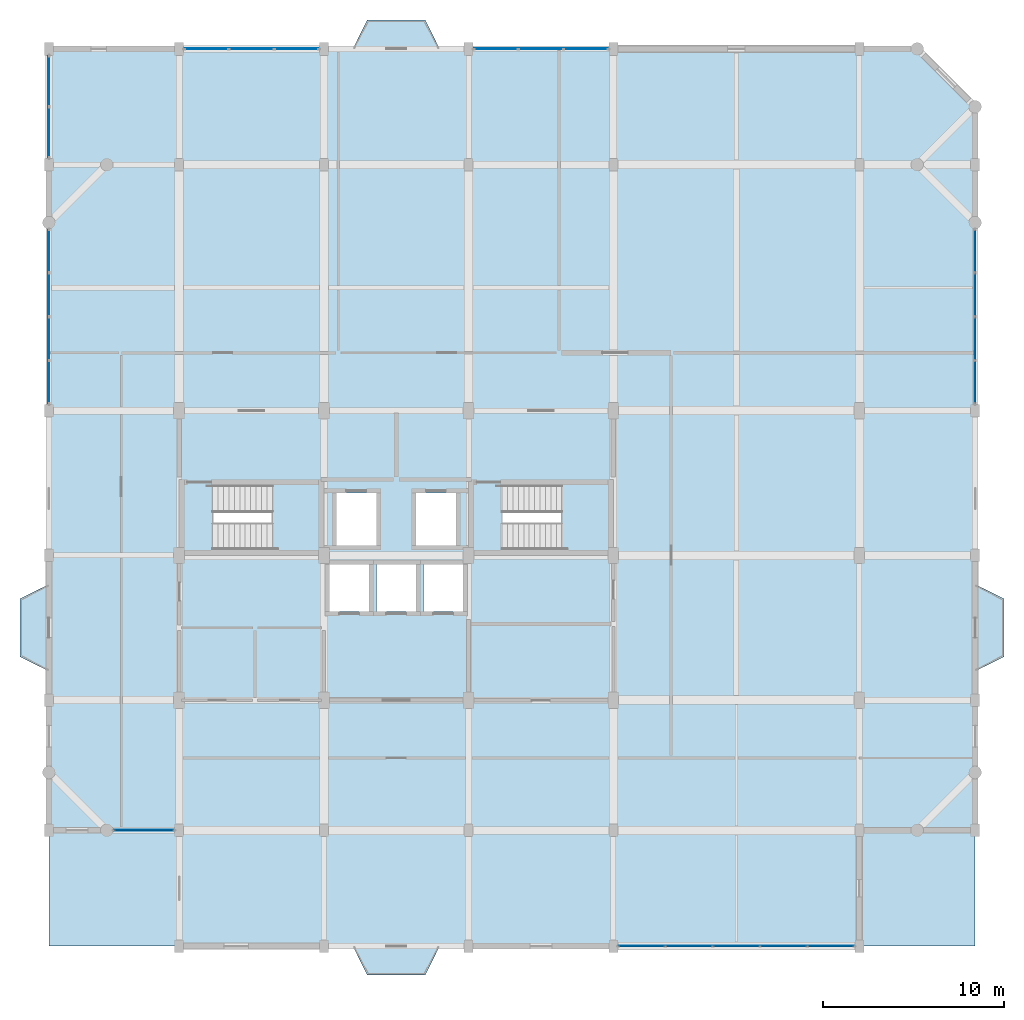
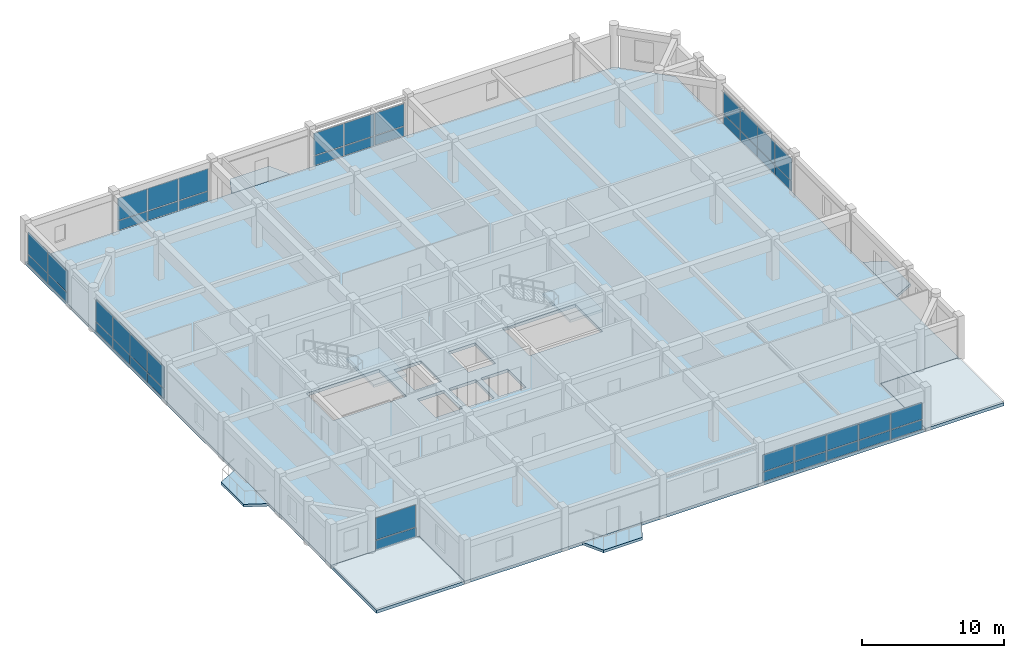
# One storey, part 9 of 14: 44 plates, 9 slabs, 9 elements without a shape of their own.
"""IFC4 building model written with IfcOpenShell, lengths in metres."""

from ifc_helpers import new_model, si_unit, direction, frame, origin, origin_2d, place, context, subcontext, project, spatial, polyline, rectangle, outline, extrude, material, layer, layer_set, type_object, element, aggregate, save


model = new_model("IFC4")

# Units and contexts
model_context = context("Model", 3, precision=1e-05, world=origin(), true_north=direction((0.0, 1.0)))
body_context = subcontext(model_context, "Body", "Model", "MODEL_VIEW")
ifc_project = project(units=[si_unit("LENGTHUNIT", "METRE"), si_unit("AREAUNIT", "SQUARE_METRE"), si_unit("VOLUMEUNIT", "CUBIC_METRE"), si_unit("PLANEANGLEUNIT", "RADIAN"), si_unit("MASSUNIT", "GRAM", prefix="KILO")], contexts=[model_context])

# Site, building, storey
site_placement = place(None, origin())
site = spatial("IfcSite", under=ifc_project, at=site_placement, CompositionType="ELEMENT")
building_placement = place(site_placement, origin())
building = spatial("IfcBuilding", under=site, at=building_placement, Name="Vellmiral Cinema and Media Centre", CompositionType="ELEMENT")
storey_placement = place(building_placement, frame((0.0, 0.0, 47.10009765625)))
storey = spatial("IfcBuildingStorey", under=building, at=storey_placement, Name="L11", CompositionType="ELEMENT", Elevation=47.10009765625)

# Curtain wall, plates
ifc_material_1 = material(Name="Thermally Broken Aluminium and Triple Glazing", Category="aluminium")
curtain_wall_type_1 = type_object("IfcCurtainWallType", Name="CW-TOWER-MID-W", PredefinedType="USERDEFINED", material=ifc_material_1)
curtain_wall_1_placement = place(storey_placement, origin())
curtain_wall_1 = element("IfcCurtainWall", 1, at=curtain_wall_1_placement, inside=storey, type_object=curtain_wall_type_1, Name="Curtain Wall L11-B018", ObjectType="UNITISED CURTAIN WALL", PredefinedType="USERDEFINED")
ifc_material_2 = material(Name="Laminated Studio Acoustic Glazing", Category="glass")
ifc_layer_1 = layer(ifc_material_2, 0.0439453125, Name="Laminated Studio Acoustic Glazing")
ifc_layer_set_1 = layer_set([ifc_layer_1], Name="Laminated Studio Acoustic Glazing")
plate_type_1 = type_object("IfcPlateType", Name="CWP-ACOUST-44", PredefinedType="CURTAIN_PANEL", material=ifc_layer_set_1)
plate_1_placement = place(storey_placement, frame((146.483642578125, 115.199951171875, 0.93212890625), z_axis=(0.0, 0.0, 1.0), x_axis=(-1.0, 0.0, 0.0)))
plate_1 = element("IfcPlate", 2, at=plate_1_placement, type_object=plate_type_1, Name="CW-08 panel 1.2", PredefinedType="CURTAIN_PANEL", context=body_context, shape_type="SweptSolid", body=[
    extrude(rectangle(XDim=2.402587890625, YDim=0.0439453125, at=origin_2d()), origin(), (0.0, 0.0, 1.0), 1.902587890625),
])
plate_2_placement = place(storey_placement, frame((144.0, 115.199951171875, 0.93212890625), z_axis=(0.0, 0.0, 1.0), x_axis=(-1.0, 0.0, 0.0)))
plate_2 = element("IfcPlate", 3, at=plate_2_placement, type_object=plate_type_1, Name="CW-08 panel 2.2", PredefinedType="CURTAIN_PANEL", context=body_context, shape_type="SweptSolid", body=[
    extrude(rectangle(XDim=2.43505859375, YDim=0.0439453125, at=origin_2d()), origin(), (0.0, 0.0, 1.0), 1.902587890625),
])
plate_3_placement = place(storey_placement, frame((141.516357421875, 115.199951171875, 0.93212890625), z_axis=(0.0, 0.0, 1.0), x_axis=(-1.0, 0.0, 0.0)))
plate_3 = element("IfcPlate", 4, at=plate_3_placement, type_object=plate_type_1, Name="CW-08 panel 3.2", PredefinedType="CURTAIN_PANEL", context=body_context, shape_type="SweptSolid", body=[
    extrude(rectangle(XDim=2.402587890625, YDim=0.0439453125, at=origin_2d()), origin(), (0.0, 0.0, 1.0), 1.902587890625),
])

curtain_wall_2_placement = place(storey_placement, origin())
curtain_wall_2 = element("IfcCurtainWall", 5, at=curtain_wall_2_placement, inside=storey, type_object=curtain_wall_type_1, Name="Curtain Wall L11-B020", ObjectType="UNITISED CURTAIN WALL", PredefinedType="USERDEFINED")
plate_4_placement = place(storey_placement, frame((130.483642578125, 115.199951171875, 0.93212890625), z_axis=(0.0, 0.0, 1.0), x_axis=(-1.0, 0.0, 0.0)))
plate_4 = element("IfcPlate", 6, at=plate_4_placement, type_object=plate_type_1, Name="CW-08 panel 1.2", PredefinedType="CURTAIN_PANEL", context=body_context, shape_type="SweptSolid", body=[
    extrude(rectangle(XDim=2.402587890625, YDim=0.0439453125, at=origin_2d()), origin(), (0.0, 0.0, 1.0), 1.902587890625),
])
plate_5_placement = place(storey_placement, frame((128.0, 115.199951171875, 0.93212890625), z_axis=(0.0, 0.0, 1.0), x_axis=(-1.0, 0.0, 0.0)))
plate_5 = element("IfcPlate", 7, at=plate_5_placement, type_object=plate_type_1, Name="CW-08 panel 2.2", PredefinedType="CURTAIN_PANEL", context=body_context, shape_type="SweptSolid", body=[
    extrude(rectangle(XDim=2.43505859375, YDim=0.0439453125, at=origin_2d()), origin(), (0.0, 0.0, 1.0), 1.902587890625),
])
plate_6_placement = place(storey_placement, frame((125.516357421875, 115.199951171875, 0.93212890625), z_axis=(0.0, 0.0, 1.0), x_axis=(-1.0, 0.0, 0.0)))
plate_6 = element("IfcPlate", 8, at=plate_6_placement, type_object=plate_type_1, Name="CW-08 panel 3.2", PredefinedType="CURTAIN_PANEL", context=body_context, shape_type="SweptSolid", body=[
    extrude(rectangle(XDim=2.402587890625, YDim=0.0439453125, at=origin_2d()), origin(), (0.0, 0.0, 1.0), 1.902587890625),
])

curtain_wall_3_placement = place(storey_placement, origin())
curtain_wall_3 = element("IfcCurtainWall", 9, at=curtain_wall_3_placement, inside=storey, type_object=curtain_wall_type_1, Name="Curtain Wall L11-B022", ObjectType="UNITISED CURTAIN WALL", PredefinedType="USERDEFINED")
plate_7_placement = place(storey_placement, frame((116.800048828125, 113.40869140625, 0.9326171875), z_axis=(0.0, 0.0, 1.0), x_axis=(0.0, -1.0, 0.0)))
plate_7 = element("IfcPlate", 10, at=plate_7_placement, type_object=plate_type_1, Name="CW-08 panel 1.2", PredefinedType="CURTAIN_PANEL", context=body_context, shape_type="SweptSolid", body=[
    extrude(rectangle(XDim=2.75244140625, YDim=0.0439453125, at=origin_2d()), origin(), (0.0, 0.0, 1.0), 1.887451171875),
])
plate_8_placement = place(storey_placement, frame((116.800048828125, 110.59130859375, 0.9326171875), z_axis=(0.0, 0.0, 1.0), x_axis=(0.0, -1.0, 0.0)))
plate_8 = element("IfcPlate", 11, at=plate_8_placement, type_object=plate_type_1, Name="CW-08 panel 2.2", PredefinedType="CURTAIN_PANEL", context=body_context, shape_type="SweptSolid", body=[
    extrude(rectangle(XDim=2.75244140625, YDim=0.0439453125, at=origin_2d()), origin(), (0.0, 0.0, 1.0), 1.887451171875),
])

curtain_wall_4_placement = place(storey_placement, origin())
curtain_wall_4 = element("IfcCurtainWall", 12, at=curtain_wall_4_placement, inside=storey, type_object=curtain_wall_type_1, Name="Curtain Wall L11-B024", ObjectType="UNITISED CURTAIN WALL", PredefinedType="USERDEFINED")
plate_9_placement = place(storey_placement, frame((116.800048828125, 104.021240234375, 0.9326171875), z_axis=(0.0, 0.0, 1.0), x_axis=(0.0, -1.0, 0.0)))
plate_9 = element("IfcPlate", 13, at=plate_9_placement, type_object=plate_type_1, Name="CW-08 panel 1.2", PredefinedType="CURTAIN_PANEL", context=body_context, shape_type="SweptSolid", body=[
    extrude(rectangle(XDim=2.327392578125, YDim=0.0439453125, at=origin_2d()), origin(), (0.0, 0.0, 1.0), 1.887451171875),
])
plate_10_placement = place(storey_placement, frame((116.800048828125, 101.612548828125, 0.9326171875), z_axis=(0.0, 0.0, 1.0), x_axis=(0.0, -1.0, 0.0)))
plate_10 = element("IfcPlate", 14, at=plate_10_placement, type_object=plate_type_1, Name="CW-08 panel 2.2", PredefinedType="CURTAIN_PANEL", context=body_context, shape_type="SweptSolid", body=[
    extrude(rectangle(XDim=2.360107421875, YDim=0.0439453125, at=origin_2d()), origin(), (0.0, 0.0, 1.0), 1.887451171875),
])
plate_11_placement = place(storey_placement, frame((116.800048828125, 99.1875, 0.9326171875), z_axis=(0.0, 0.0, 1.0), x_axis=(0.0, -1.0, 0.0)))
plate_11 = element("IfcPlate", 15, at=plate_11_placement, type_object=plate_type_1, Name="CW-08 panel 3.2", PredefinedType="CURTAIN_PANEL", context=body_context, shape_type="SweptSolid", body=[
    extrude(rectangle(XDim=2.360107421875, YDim=0.0439453125, at=origin_2d()), origin(), (0.0, 0.0, 1.0), 1.887451171875),
])
plate_12_placement = place(storey_placement, frame((116.800048828125, 96.77880859375, 0.9326171875), z_axis=(0.0, 0.0, 1.0), x_axis=(0.0, -1.0, 0.0)))
plate_12 = element("IfcPlate", 16, at=plate_12_placement, type_object=plate_type_1, Name="CW-08 panel 4.2", PredefinedType="CURTAIN_PANEL", context=body_context, shape_type="SweptSolid", body=[
    extrude(rectangle(XDim=2.327392578125, YDim=0.0439453125, at=origin_2d()), origin(), (0.0, 0.0, 1.0), 1.887451171875),
])

ifc_material_3 = material(Name="Thermally Broken Aluminium and Triple Glazing", Category="aluminium")
curtain_wall_type_2 = type_object("IfcCurtainWallType", Name="CW-TOWER-MID-E", PredefinedType="USERDEFINED", material=ifc_material_3)
curtain_wall_5_placement = place(storey_placement, origin())
curtain_wall_5 = element("IfcCurtainWall", 17, at=curtain_wall_5_placement, inside=storey, type_object=curtain_wall_type_2, Name="Curtain Wall L11-B004", ObjectType="UNITISED CURTAIN WALL", PredefinedType="USERDEFINED")
ifc_material_4 = material(Name="Honed Vosges Sandstone Spandrel Panel", Category="masonry")
ifc_layer_2 = layer(ifc_material_4, 0.06005859375, Name="Honed Vosges Sandstone Spandrel Panel")
ifc_layer_set_2 = layer_set([ifc_layer_2], Name="Honed Vosges Sandstone Spandrel Panel")
plate_type_2 = type_object("IfcPlateType", Name="CWP-SAND-60", PredefinedType="CURTAIN_PANEL", material=ifc_layer_set_2)
plate_13_placement = place(storey_placement, frame((149.576171875, 65.60009765625, 0.06494140625), z_axis=(0.0, 0.0, 1.0), x_axis=(1.0, 0.0, 0.0)))
plate_13 = element("IfcPlate", 18, at=plate_13_placement, type_object=plate_type_2, Name="CW-07 panel 1.1", PredefinedType="CURTAIN_PANEL", context=body_context, shape_type="SweptSolid", body=[
    extrude(rectangle(XDim=2.5224609375, YDim=0.06005859375, at=origin_2d()), origin(), (0.0, 0.0, 1.0), 0.802490234375),
])
plate_14_placement = place(storey_placement, frame((152.179931640625, 65.60009765625, 0.06494140625), z_axis=(0.0, 0.0, 1.0), x_axis=(1.0, 0.0, 0.0)))
plate_14 = element("IfcPlate", 19, at=plate_14_placement, type_object=plate_type_2, Name="CW-07 panel 2.1", PredefinedType="CURTAIN_PANEL", context=body_context, shape_type="SweptSolid", body=[
    extrude(rectangle(XDim=2.554931640625, YDim=0.06005859375, at=origin_2d()), origin(), (0.0, 0.0, 1.0), 0.802490234375),
])
plate_15_placement = place(storey_placement, frame((154.800048828125, 65.60009765625, 0.06494140625), z_axis=(0.0, 0.0, 1.0), x_axis=(1.0, 0.0, 0.0)))
plate_15 = element("IfcPlate", 20, at=plate_15_placement, type_object=plate_type_2, Name="CW-07 panel 3.1", PredefinedType="CURTAIN_PANEL", context=body_context, shape_type="SweptSolid", body=[
    extrude(rectangle(XDim=2.554931640625, YDim=0.06005859375, at=origin_2d()), origin(), (0.0, 0.0, 1.0), 0.802490234375),
])
plate_16_placement = place(storey_placement, frame((157.419921875, 65.60009765625, 0.06494140625), z_axis=(0.0, 0.0, 1.0), x_axis=(1.0, 0.0, 0.0)))
plate_16 = element("IfcPlate", 21, at=plate_16_placement, type_object=plate_type_2, Name="CW-07 panel 4.1", PredefinedType="CURTAIN_PANEL", context=body_context, shape_type="SweptSolid", body=[
    extrude(rectangle(XDim=2.554931640625, YDim=0.06005859375, at=origin_2d()), origin(), (0.0, 0.0, 1.0), 0.802490234375),
])
plate_17_placement = place(storey_placement, frame((160.023681640625, 65.60009765625, 0.06494140625), z_axis=(0.0, 0.0, 1.0), x_axis=(1.0, 0.0, 0.0)))
plate_17 = element("IfcPlate", 22, at=plate_17_placement, type_object=plate_type_2, Name="CW-07 panel 5.1", PredefinedType="CURTAIN_PANEL", context=body_context, shape_type="SweptSolid", body=[
    extrude(rectangle(XDim=2.5224609375, YDim=0.06005859375, at=origin_2d()), origin(), (0.0, 0.0, 1.0), 0.802490234375),
])

curtain_wall_6_placement = place(storey_placement, origin())
curtain_wall_6 = element("IfcCurtainWall", 23, at=curtain_wall_6_placement, inside=storey, type_object=curtain_wall_type_2, Name="Curtain Wall L11-B012", ObjectType="UNITISED CURTAIN WALL", PredefinedType="USERDEFINED")
plate_18_placement = place(storey_placement, frame((168.0, 96.77880859375, 0.06494140625), z_axis=(0.0, 0.0, 1.0), x_axis=(0.0, 1.0, 0.0)))
plate_18 = element("IfcPlate", 24, at=plate_18_placement, type_object=plate_type_2, Name="CW-07 panel 1.1", PredefinedType="CURTAIN_PANEL", context=body_context, shape_type="SweptSolid", body=[
    extrude(rectangle(XDim=2.327392578125, YDim=0.06005859375, at=origin_2d()), origin(), (0.0, 0.0, 1.0), 0.802490234375),
])
plate_19_placement = place(storey_placement, frame((168.0, 99.1875, 0.06494140625), z_axis=(0.0, 0.0, 1.0), x_axis=(0.0, 1.0, 0.0)))
plate_19 = element("IfcPlate", 25, at=plate_19_placement, type_object=plate_type_2, Name="CW-07 panel 2.1", PredefinedType="CURTAIN_PANEL", context=body_context, shape_type="SweptSolid", body=[
    extrude(rectangle(XDim=2.360107421875, YDim=0.06005859375, at=origin_2d()), origin(), (0.0, 0.0, 1.0), 0.802490234375),
])
plate_20_placement = place(storey_placement, frame((168.0, 101.612548828125, 0.06494140625), z_axis=(0.0, 0.0, 1.0), x_axis=(0.0, 1.0, 0.0)))
plate_20 = element("IfcPlate", 26, at=plate_20_placement, type_object=plate_type_2, Name="CW-07 panel 3.1", PredefinedType="CURTAIN_PANEL", context=body_context, shape_type="SweptSolid", body=[
    extrude(rectangle(XDim=2.360107421875, YDim=0.06005859375, at=origin_2d()), origin(), (0.0, 0.0, 1.0), 0.802490234375),
])
plate_21_placement = place(storey_placement, frame((168.0, 104.021240234375, 0.06494140625), z_axis=(0.0, 0.0, 1.0), x_axis=(0.0, 1.0, 0.0)))
plate_21 = element("IfcPlate", 27, at=plate_21_placement, type_object=plate_type_2, Name="CW-07 panel 4.1", PredefinedType="CURTAIN_PANEL", context=body_context, shape_type="SweptSolid", body=[
    extrude(rectangle(XDim=2.327392578125, YDim=0.06005859375, at=origin_2d()), origin(), (0.0, 0.0, 1.0), 0.802490234375),
])

# Curtain wall, plate
curtain_wall_7_placement = place(storey_placement, origin())
curtain_wall_7 = element("IfcCurtainWall", 28, at=curtain_wall_7_placement, inside=storey, type_object=curtain_wall_type_2, Name="Curtain Wall L11-B030", ObjectType="UNITISED CURTAIN WALL", PredefinedType="USERDEFINED")
plate_22_placement = place(storey_placement, frame((122.050048828125, 72.0, 0.06494140625), z_axis=(0.0, 0.0, 1.0), x_axis=(1.0, 0.0, 0.0)))
plate_22 = element("IfcPlate", 29, at=plate_22_placement, type_object=plate_type_2, Name="CW-07 panel 1.1", PredefinedType="CURTAIN_PANEL", context=body_context, shape_type="SweptSolid", body=[
    extrude(rectangle(XDim=3.27001953125, YDim=0.06005859375, at=origin_2d()), origin(), (0.0, 0.0, 1.0), 0.802490234375),
])

# Plate
ifc_material_5 = material(Name="Solar-Control Acoustic Triple Glazing", Category="glass")
ifc_layer_3 = layer(ifc_material_5, 0.0419921875, Name="Solar-Control Acoustic Triple Glazing")
ifc_layer_set_3 = layer_set([ifc_layer_3], Name="Solar-Control Acoustic Triple Glazing")
plate_type_3 = type_object("IfcPlateType", Name="CWP-SOLAR-42", PredefinedType="CURTAIN_PANEL", material=ifc_layer_set_3)
plate_23_placement = place(storey_placement, frame((149.576171875, 65.60009765625, 0.932373046875), z_axis=(0.0, 0.0, 1.0), x_axis=(1.0, 0.0, 0.0)))
plate_23 = element("IfcPlate", 30, at=plate_23_placement, type_object=plate_type_3, Name="CW-07 panel 1.2", PredefinedType="CURTAIN_PANEL", context=body_context, shape_type="SweptSolid", body=[
    extrude(rectangle(XDim=2.5224609375, YDim=0.0419921875, at=origin_2d()), origin(), (0.0, 0.0, 1.0), 1.4375),
])

plate_24_placement = place(storey_placement, frame((152.179931640625, 65.60009765625, 0.932373046875), z_axis=(0.0, 0.0, 1.0), x_axis=(1.0, 0.0, 0.0)))
plate_24 = element("IfcPlate", 31, at=plate_24_placement, type_object=plate_type_3, Name="CW-07 panel 2.2", PredefinedType="CURTAIN_PANEL", context=body_context, shape_type="SweptSolid", body=[
    extrude(rectangle(XDim=2.554931640625, YDim=0.0419921875, at=origin_2d()), origin(), (0.0, 0.0, 1.0), 1.4375),
])

plate_25_placement = place(storey_placement, frame((154.800048828125, 65.60009765625, 0.932373046875), z_axis=(0.0, 0.0, 1.0), x_axis=(1.0, 0.0, 0.0)))
plate_25 = element("IfcPlate", 32, at=plate_25_placement, type_object=plate_type_3, Name="CW-07 panel 3.2", PredefinedType="CURTAIN_PANEL", context=body_context, shape_type="SweptSolid", body=[
    extrude(rectangle(XDim=2.554931640625, YDim=0.0419921875, at=origin_2d()), origin(), (0.0, 0.0, 1.0), 1.4375),
])

plate_26_placement = place(storey_placement, frame((157.419921875, 65.60009765625, 0.932373046875), z_axis=(0.0, 0.0, 1.0), x_axis=(1.0, 0.0, 0.0)))
plate_26 = element("IfcPlate", 33, at=plate_26_placement, type_object=plate_type_3, Name="CW-07 panel 4.2", PredefinedType="CURTAIN_PANEL", context=body_context, shape_type="SweptSolid", body=[
    extrude(rectangle(XDim=2.554931640625, YDim=0.0419921875, at=origin_2d()), origin(), (0.0, 0.0, 1.0), 1.4375),
])

plate_27_placement = place(storey_placement, frame((160.023681640625, 65.60009765625, 0.932373046875), z_axis=(0.0, 0.0, 1.0), x_axis=(1.0, 0.0, 0.0)))
plate_27 = element("IfcPlate", 34, at=plate_27_placement, type_object=plate_type_3, Name="CW-07 panel 5.2", PredefinedType="CURTAIN_PANEL", context=body_context, shape_type="SweptSolid", body=[
    extrude(rectangle(XDim=2.5224609375, YDim=0.0419921875, at=origin_2d()), origin(), (0.0, 0.0, 1.0), 1.4375),
])

aggregate(curtain_wall_5, [plate_13, plate_23, plate_14, plate_24, plate_15, plate_25, plate_16, plate_26, plate_17, plate_27])

plate_28_placement = place(storey_placement, frame((168.0, 96.77880859375, 0.9326171875), z_axis=(0.0, 0.0, 1.0), x_axis=(0.0, 1.0, 0.0)))
plate_28 = element("IfcPlate", 35, at=plate_28_placement, type_object=plate_type_3, Name="CW-07 panel 1.2", PredefinedType="CURTAIN_PANEL", context=body_context, shape_type="SweptSolid", body=[
    extrude(rectangle(XDim=2.327392578125, YDim=0.0419921875, at=origin_2d()), origin(), (0.0, 0.0, 1.0), 1.887451171875),
])

plate_29_placement = place(storey_placement, frame((168.0, 99.1875, 0.9326171875), z_axis=(0.0, 0.0, 1.0), x_axis=(0.0, 1.0, 0.0)))
plate_29 = element("IfcPlate", 36, at=plate_29_placement, type_object=plate_type_3, Name="CW-07 panel 2.2", PredefinedType="CURTAIN_PANEL", context=body_context, shape_type="SweptSolid", body=[
    extrude(rectangle(XDim=2.360107421875, YDim=0.0419921875, at=origin_2d()), origin(), (0.0, 0.0, 1.0), 1.887451171875),
])

plate_30_placement = place(storey_placement, frame((168.0, 101.612548828125, 0.9326171875), z_axis=(0.0, 0.0, 1.0), x_axis=(0.0, 1.0, 0.0)))
plate_30 = element("IfcPlate", 37, at=plate_30_placement, type_object=plate_type_3, Name="CW-07 panel 3.2", PredefinedType="CURTAIN_PANEL", context=body_context, shape_type="SweptSolid", body=[
    extrude(rectangle(XDim=2.360107421875, YDim=0.0419921875, at=origin_2d()), origin(), (0.0, 0.0, 1.0), 1.887451171875),
])

plate_31_placement = place(storey_placement, frame((168.0, 104.021240234375, 0.9326171875), z_axis=(0.0, 0.0, 1.0), x_axis=(0.0, 1.0, 0.0)))
plate_31 = element("IfcPlate", 38, at=plate_31_placement, type_object=plate_type_3, Name="CW-07 panel 4.2", PredefinedType="CURTAIN_PANEL", context=body_context, shape_type="SweptSolid", body=[
    extrude(rectangle(XDim=2.327392578125, YDim=0.0419921875, at=origin_2d()), origin(), (0.0, 0.0, 1.0), 1.887451171875),
])

aggregate(curtain_wall_6, [plate_18, plate_28, plate_19, plate_29, plate_20, plate_30, plate_21, plate_31])

plate_32_placement = place(storey_placement, frame((122.050048828125, 72.0, 0.93212890625), z_axis=(0.0, 0.0, 1.0), x_axis=(1.0, 0.0, 0.0)))
plate_32 = element("IfcPlate", 39, at=plate_32_placement, type_object=plate_type_3, Name="CW-07 panel 1.2", PredefinedType="CURTAIN_PANEL", context=body_context, shape_type="SweptSolid", body=[
    extrude(rectangle(XDim=3.27001953125, YDim=0.0419921875, at=origin_2d()), origin(), (0.0, 0.0, 1.0), 1.902587890625),
])

aggregate(curtain_wall_7, [plate_22, plate_32])

ifc_material_6 = material(Name="Polychrome Trencadis Ceramic Spandrel Panel", Category="ceramic")
ifc_layer_4 = layer(ifc_material_6, 0.052001953125, Name="Polychrome Trencadis Ceramic Spandrel Panel")
ifc_layer_set_4 = layer_set([ifc_layer_4], Name="Polychrome Trencadis Ceramic Spandrel Panel")
plate_type_4 = type_object("IfcPlateType", Name="CWP-TRENC-52", PredefinedType="CURTAIN_PANEL", material=ifc_layer_set_4)
plate_33_placement = place(storey_placement, frame((146.483642578125, 115.199951171875, 0.06494140625), z_axis=(0.0, 0.0, 1.0), x_axis=(-1.0, 0.0, 0.0)))
plate_33 = element("IfcPlate", 40, at=plate_33_placement, type_object=plate_type_4, Name="CW-08 panel 1.1", PredefinedType="CURTAIN_PANEL", context=body_context, shape_type="SweptSolid", body=[
    extrude(rectangle(XDim=2.402587890625, YDim=0.052001953125, at=origin_2d()), origin(), (0.0, 0.0, 1.0), 0.802490234375),
])

plate_34_placement = place(storey_placement, frame((144.0, 115.199951171875, 0.06494140625), z_axis=(0.0, 0.0, 1.0), x_axis=(-1.0, 0.0, 0.0)))
plate_34 = element("IfcPlate", 41, at=plate_34_placement, type_object=plate_type_4, Name="CW-08 panel 2.1", PredefinedType="CURTAIN_PANEL", context=body_context, shape_type="SweptSolid", body=[
    extrude(rectangle(XDim=2.43505859375, YDim=0.052001953125, at=origin_2d()), origin(), (0.0, 0.0, 1.0), 0.802490234375),
])

plate_35_placement = place(storey_placement, frame((141.516357421875, 115.199951171875, 0.06494140625), z_axis=(0.0, 0.0, 1.0), x_axis=(-1.0, 0.0, 0.0)))
plate_35 = element("IfcPlate", 42, at=plate_35_placement, type_object=plate_type_4, Name="CW-08 panel 3.1", PredefinedType="CURTAIN_PANEL", context=body_context, shape_type="SweptSolid", body=[
    extrude(rectangle(XDim=2.402587890625, YDim=0.052001953125, at=origin_2d()), origin(), (0.0, 0.0, 1.0), 0.802490234375),
])

aggregate(curtain_wall_1, [plate_33, plate_1, plate_34, plate_2, plate_35, plate_3])

plate_36_placement = place(storey_placement, frame((130.483642578125, 115.199951171875, 0.06494140625), z_axis=(0.0, 0.0, 1.0), x_axis=(-1.0, 0.0, 0.0)))
plate_36 = element("IfcPlate", 43, at=plate_36_placement, type_object=plate_type_4, Name="CW-08 panel 1.1", PredefinedType="CURTAIN_PANEL", context=body_context, shape_type="SweptSolid", body=[
    extrude(rectangle(XDim=2.402587890625, YDim=0.052001953125, at=origin_2d()), origin(), (0.0, 0.0, 1.0), 0.802490234375),
])

plate_37_placement = place(storey_placement, frame((128.0, 115.199951171875, 0.06494140625), z_axis=(0.0, 0.0, 1.0), x_axis=(-1.0, 0.0, 0.0)))
plate_37 = element("IfcPlate", 44, at=plate_37_placement, type_object=plate_type_4, Name="CW-08 panel 2.1", PredefinedType="CURTAIN_PANEL", context=body_context, shape_type="SweptSolid", body=[
    extrude(rectangle(XDim=2.43505859375, YDim=0.052001953125, at=origin_2d()), origin(), (0.0, 0.0, 1.0), 0.802490234375),
])

plate_38_placement = place(storey_placement, frame((125.516357421875, 115.199951171875, 0.06494140625), z_axis=(0.0, 0.0, 1.0), x_axis=(-1.0, 0.0, 0.0)))
plate_38 = element("IfcPlate", 45, at=plate_38_placement, type_object=plate_type_4, Name="CW-08 panel 3.1", PredefinedType="CURTAIN_PANEL", context=body_context, shape_type="SweptSolid", body=[
    extrude(rectangle(XDim=2.402587890625, YDim=0.052001953125, at=origin_2d()), origin(), (0.0, 0.0, 1.0), 0.802490234375),
])

aggregate(curtain_wall_2, [plate_36, plate_4, plate_37, plate_5, plate_38, plate_6])

plate_39_placement = place(storey_placement, frame((116.800048828125, 113.40869140625, 0.06494140625), z_axis=(0.0, 0.0, 1.0), x_axis=(0.0, -1.0, 0.0)))
plate_39 = element("IfcPlate", 46, at=plate_39_placement, type_object=plate_type_4, Name="CW-08 panel 1.1", PredefinedType="CURTAIN_PANEL", context=body_context, shape_type="SweptSolid", body=[
    extrude(rectangle(XDim=2.75244140625, YDim=0.052001953125, at=origin_2d()), origin(), (0.0, 0.0, 1.0), 0.802490234375),
])

plate_40_placement = place(storey_placement, frame((116.800048828125, 110.59130859375, 0.06494140625), z_axis=(0.0, 0.0, 1.0), x_axis=(0.0, -1.0, 0.0)))
plate_40 = element("IfcPlate", 47, at=plate_40_placement, type_object=plate_type_4, Name="CW-08 panel 2.1", PredefinedType="CURTAIN_PANEL", context=body_context, shape_type="SweptSolid", body=[
    extrude(rectangle(XDim=2.75244140625, YDim=0.052001953125, at=origin_2d()), origin(), (0.0, 0.0, 1.0), 0.802490234375),
])

aggregate(curtain_wall_3, [plate_39, plate_7, plate_40, plate_8])

plate_41_placement = place(storey_placement, frame((116.800048828125, 104.021240234375, 0.06494140625), z_axis=(0.0, 0.0, 1.0), x_axis=(0.0, -1.0, 0.0)))
plate_41 = element("IfcPlate", 48, at=plate_41_placement, type_object=plate_type_4, Name="CW-08 panel 1.1", PredefinedType="CURTAIN_PANEL", context=body_context, shape_type="SweptSolid", body=[
    extrude(rectangle(XDim=2.327392578125, YDim=0.052001953125, at=origin_2d()), origin(), (0.0, 0.0, 1.0), 0.802490234375),
])

plate_42_placement = place(storey_placement, frame((116.800048828125, 101.612548828125, 0.06494140625), z_axis=(0.0, 0.0, 1.0), x_axis=(0.0, -1.0, 0.0)))
plate_42 = element("IfcPlate", 49, at=plate_42_placement, type_object=plate_type_4, Name="CW-08 panel 2.1", PredefinedType="CURTAIN_PANEL", context=body_context, shape_type="SweptSolid", body=[
    extrude(rectangle(XDim=2.360107421875, YDim=0.052001953125, at=origin_2d()), origin(), (0.0, 0.0, 1.0), 0.802490234375),
])

plate_43_placement = place(storey_placement, frame((116.800048828125, 99.1875, 0.06494140625), z_axis=(0.0, 0.0, 1.0), x_axis=(0.0, -1.0, 0.0)))
plate_43 = element("IfcPlate", 50, at=plate_43_placement, type_object=plate_type_4, Name="CW-08 panel 3.1", PredefinedType="CURTAIN_PANEL", context=body_context, shape_type="SweptSolid", body=[
    extrude(rectangle(XDim=2.360107421875, YDim=0.052001953125, at=origin_2d()), origin(), (0.0, 0.0, 1.0), 0.802490234375),
])

plate_44_placement = place(storey_placement, frame((116.800048828125, 96.77880859375, 0.06494140625), z_axis=(0.0, 0.0, 1.0), x_axis=(0.0, -1.0, 0.0)))
plate_44 = element("IfcPlate", 51, at=plate_44_placement, type_object=plate_type_4, Name="CW-08 panel 4.1", PredefinedType="CURTAIN_PANEL", context=body_context, shape_type="SweptSolid", body=[
    extrude(rectangle(XDim=2.327392578125, YDim=0.052001953125, at=origin_2d()), origin(), (0.0, 0.0, 1.0), 0.802490234375),
])

aggregate(curtain_wall_4, [plate_41, plate_9, plate_42, plate_10, plate_43, plate_11, plate_44, plate_12])

# Slab
ifc_material_7 = material(Name="Concrete C40/50", Category="concrete")
ifc_layer_5 = layer(ifc_material_7, 0.260009765625, Name="Concrete C40/50")
ifc_layer_set_5 = layer_set([ifc_layer_5], Name="Concrete C40/50")
slab_type_1 = type_object("IfcSlabType", Name="SLB-FLR-260", PredefinedType="FLOOR", material=ifc_layer_set_5)
slab_1_placement = place(storey_placement, frame((0.0, 0.0, -0.260009765625)))
element("IfcSlab", 52, at=slab_1_placement, inside=storey, type_object=slab_type_1, Name="L11 Structural Slab", PredefinedType="FLOOR", context=body_context, shape_type="SweptSolid", body=[
    extrude(outline(polyline([(124.0, 65.60009765625), (161.60009765625, 65.60009765625), (161.60009765625, 72.0), (168.0, 72.0), (168.0, 112.0), (164.800048828125, 115.199951171875), (116.800048828125, 115.199951171875), (116.800048828125, 72.0), (124.0, 72.0), (124.0, 65.60009765625)]), holes=[polyline([(125.85009765625, 87.3798828125), (131.820068359375, 87.3798828125), (131.820068359375, 91.219970703125), (125.85009765625, 91.219970703125), (125.85009765625, 87.3798828125)]), polyline([(141.85009765625, 87.3798828125), (147.820068359375, 87.3798828125), (147.820068359375, 91.219970703125), (141.85009765625, 91.219970703125), (141.85009765625, 87.3798828125)]), polyline([(132.699951171875, 87.75), (134.89990234375, 87.75), (134.89990234375, 90.64990234375), (132.699951171875, 90.64990234375), (132.699951171875, 87.75)]), polyline([(137.10009765625, 87.75), (139.300048828125, 87.75), (139.300048828125, 90.64990234375), (137.10009765625, 90.64990234375), (137.10009765625, 87.75)]), polyline([(132.300048828125, 84.10009765625), (134.5, 84.10009765625), (134.5, 86.699951171875), (132.300048828125, 86.699951171875), (132.300048828125, 84.10009765625)]), polyline([(134.89990234375, 84.10009765625), (137.10009765625, 84.10009765625), (137.10009765625, 86.699951171875), (134.89990234375, 86.699951171875), (134.89990234375, 84.10009765625)]), polyline([(137.5, 84.10009765625), (139.699951171875, 84.10009765625), (139.699951171875, 86.699951171875), (137.5, 86.699951171875), (137.5, 84.10009765625)])]), origin(), (0.0, 0.0, 1.0), 0.260009765625),
])

# Stair, slab
ifc_material_8 = material(Name="Concrete C40/50", Category="concrete")
stair_type = type_object("IfcStairType", Name="ST-2RET-380", PredefinedType="HALF_TURN_STAIR", material=ifc_material_8)
stair_1_placement = place(storey_placement, origin())
stair_1 = element("IfcStair", 53, at=stair_1_placement, inside=storey, type_object=stair_type, Name="Protected Escape Stair ST-T1 (L11)", PredefinedType="HALF_TURN_STAIR")
ifc_material_9 = material(Name="Concrete C40/50", Category="concrete")
ifc_layer_6 = layer(ifc_material_9, 0.219970703125, Name="Concrete C40/50")
ifc_layer_set_6 = layer_set([ifc_layer_6], Name="Concrete C40/50")
slab_type_2 = type_object("IfcSlabType", Name="SLB-LAND-220", PredefinedType="LANDING", material=ifc_layer_set_6)
slab_2_placement = place(storey_placement, frame((0.0, 0.0, 1.679931640625)))
slab_2 = element("IfcSlab", 54, at=slab_2_placement, type_object=slab_type_2, Name="ST-T1 landing 1", PredefinedType="LANDING", context=body_context, shape_type="SweptSolid", body=[
    extrude(outline(polyline([(129.14990234375, 87.3798828125), (131.820068359375, 87.3798828125), (131.820068359375, 91.219970703125), (129.14990234375, 91.219970703125), (129.14990234375, 87.3798828125)])), origin(), (0.0, 0.0, 1.0), 0.219970703125),
])
aggregate(stair_1, [slab_2])

stair_2_placement = place(storey_placement, origin())
stair_2 = element("IfcStair", 55, at=stair_2_placement, inside=storey, type_object=stair_type, Name="Protected Escape Stair ST-T2 (L11)", PredefinedType="HALF_TURN_STAIR")
slab_3_placement = place(storey_placement, frame((0.0, 0.0, 1.679931640625)))
slab_3 = element("IfcSlab", 56, at=slab_3_placement, type_object=slab_type_2, Name="ST-T2 landing 1", PredefinedType="LANDING", context=body_context, shape_type="SweptSolid", body=[
    extrude(outline(polyline([(145.14990234375, 87.3798828125), (147.820068359375, 87.3798828125), (147.820068359375, 91.219970703125), (145.14990234375, 91.219970703125), (145.14990234375, 87.3798828125)])), origin(), (0.0, 0.0, 1.0), 0.219970703125),
])
aggregate(stair_2, [slab_3])

# Slabs
ifc_material_10 = material(Name="Concrete C40/50", Category="concrete")
ifc_layer_7 = layer(ifc_material_10, 0.22998046875, Name="Concrete C40/50")
ifc_layer_set_7 = layer_set([ifc_layer_7], Name="Concrete C40/50")
slab_type_3 = type_object("IfcSlabType", Name="SLB-MIRA-230", PredefinedType="FLOOR", material=ifc_layer_set_7)
slab_4_placement = place(storey_placement, frame((0.0, 0.0, -0.22998046875)))
element("IfcSlab", 57, at=slab_4_placement, inside=storey, type_object=slab_type_3, Name="Catalan Mirador Balcony L11-E", PredefinedType="FLOOR", context=body_context, shape_type="SweptSolid", body=[
    extrude(outline(polyline([(168.0, 80.800048828125), (169.60009765625, 81.60009765625), (169.60009765625, 84.800048828125), (168.0, 85.60009765625), (168.0, 80.800048828125)])), origin(), (0.0, 0.0, 1.0), 0.22998046875),
])
slab_5_placement = place(storey_placement, frame((0.0, 0.0, -0.22998046875)))
element("IfcSlab", 58, at=slab_5_placement, inside=storey, type_object=slab_type_3, Name="Catalan Mirador Balcony L11-N", PredefinedType="FLOOR", context=body_context, shape_type="SweptSolid", body=[
    extrude(outline(polyline([(133.60009765625, 115.199951171875), (138.39990234375, 115.199951171875), (137.60009765625, 116.800048828125), (134.39990234375, 116.800048828125), (133.60009765625, 115.199951171875)])), origin(), (0.0, 0.0, 1.0), 0.22998046875),
])
slab_6_placement = place(storey_placement, frame((0.0, 0.0, -0.22998046875)))
element("IfcSlab", 59, at=slab_6_placement, inside=storey, type_object=slab_type_3, Name="Catalan Mirador Balcony L11-W", PredefinedType="FLOOR", context=body_context, shape_type="SweptSolid", body=[
    extrude(outline(polyline([(116.800048828125, 80.800048828125), (116.800048828125, 85.60009765625), (115.199951171875, 84.800048828125), (115.199951171875, 81.60009765625), (116.800048828125, 80.800048828125)])), origin(), (0.0, 0.0, 1.0), 0.22998046875),
])
slab_7_placement = place(storey_placement, frame((0.0, 0.0, -0.22998046875)))
element("IfcSlab", 60, at=slab_7_placement, inside=storey, type_object=slab_type_3, Name="Catalan Mirador Balcony L11-S", PredefinedType="FLOOR", context=body_context, shape_type="SweptSolid", body=[
    extrude(outline(polyline([(133.60009765625, 65.60009765625), (134.39990234375, 64.0), (137.60009765625, 64.0), (138.39990234375, 65.60009765625), (133.60009765625, 65.60009765625)])), origin(), (0.0, 0.0, 1.0), 0.22998046875),
])
ifc_material_11 = material(Name="Concrete C40/50", Category="concrete")
ifc_layer_8 = layer(ifc_material_11, 0.27001953125, Name="Concrete C40/50")
ifc_layer_set_8 = layer_set([ifc_layer_8], Name="Concrete C40/50")
slab_type_4 = type_object("IfcSlabType", Name="SLB-ROOF-270", PredefinedType="ROOF", material=ifc_layer_set_8)
slab_8_placement = place(storey_placement, frame((0.0, 0.0, -0.27001953125)))
element("IfcSlab", 61, at=slab_8_placement, inside=storey, type_object=slab_type_4, Name="Setback Maintenance Roof Slab SB11-SW", PredefinedType="ROOF", context=body_context, shape_type="SweptSolid", body=[
    extrude(outline(polyline([(116.800048828125, 65.60009765625), (123.97998046875, 65.60009765625), (123.97998046875, 71.97998046875), (116.800048828125, 71.97998046875), (116.800048828125, 65.60009765625)])), origin(), (0.0, 0.0, 1.0), 0.27001953125),
])
slab_9_placement = place(storey_placement, frame((0.0, 0.0, -0.27001953125)))
element("IfcSlab", 62, at=slab_9_placement, inside=storey, type_object=slab_type_4, Name="Setback Maintenance Roof Slab SB11-SE", PredefinedType="ROOF", context=body_context, shape_type="SweptSolid", body=[
    extrude(outline(polyline([(161.6201171875, 65.60009765625), (168.0, 65.60009765625), (168.0, 71.97998046875), (161.6201171875, 71.97998046875), (161.6201171875, 65.60009765625)])), origin(), (0.0, 0.0, 1.0), 0.27001953125),
])

save(model, "model.ifc")
